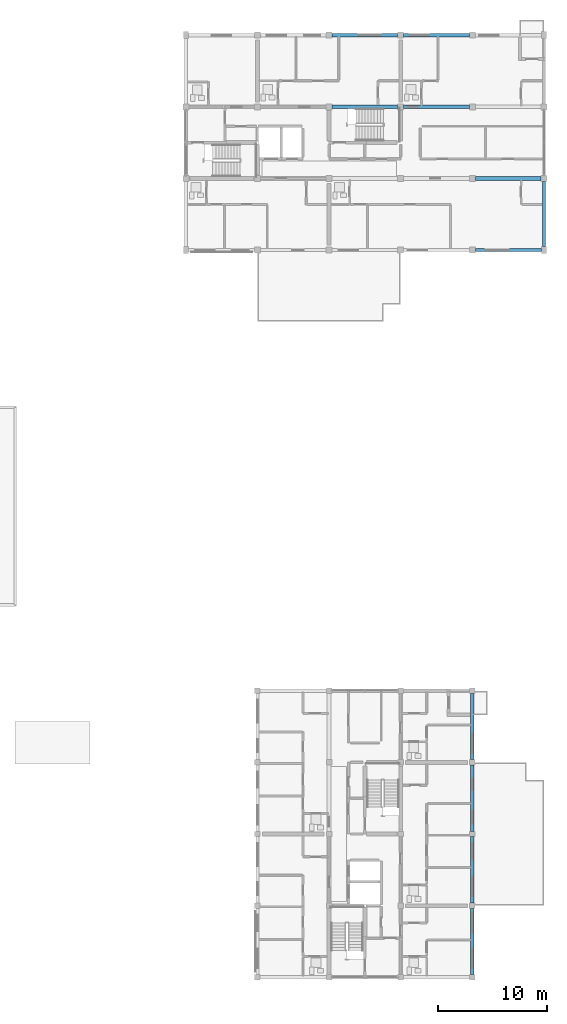
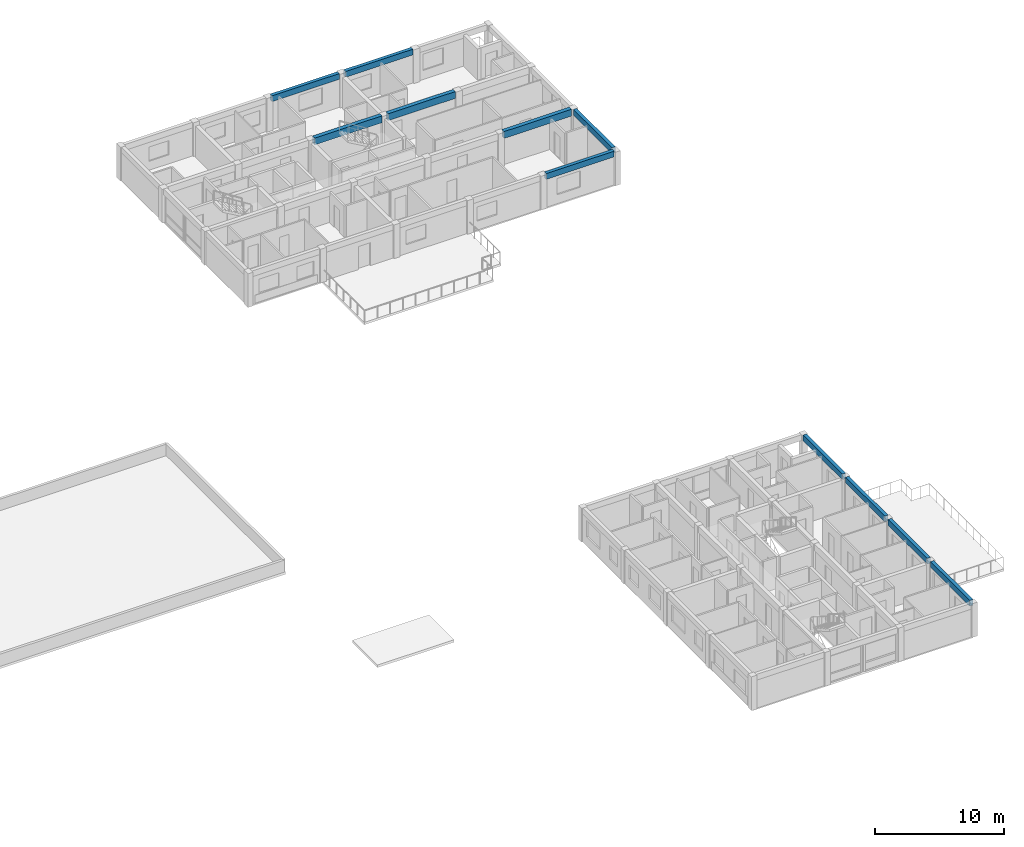
# One storey, part 21 of 51: 11 beams.
"""IFC4 building model written with IfcOpenShell, lengths in metres."""

from ifc_helpers import new_model, si_unit, direction, frame, origin, origin_2d, place, context, subcontext, project, spatial, rectangle, extrude, material, material_profile, profile_set, type_object, element, save


model = new_model("IFC4")

# Units and contexts
model_context = context("Model", 3, precision=1e-05, world=origin(), true_north=direction((0.0, 1.0)))
body_context = subcontext(model_context, "Body", "Model", "MODEL_VIEW")
ifc_project = project(units=[si_unit("LENGTHUNIT", "METRE"), si_unit("AREAUNIT", "SQUARE_METRE"), si_unit("VOLUMEUNIT", "CUBIC_METRE"), si_unit("PLANEANGLEUNIT", "RADIAN"), si_unit("MASSUNIT", "GRAM", prefix="KILO")], contexts=[model_context])

# Site, building, storey
site_placement = place(None, origin())
site = spatial("IfcSite", under=ifc_project, at=site_placement, CompositionType="ELEMENT")
building_placement = place(site_placement, origin())
building = spatial("IfcBuilding", under=site, at=building_placement, Name="Kernevlak Ridge Housing Community", CompositionType="ELEMENT")
storey_placement = place(building_placement, frame((0.0, 0.0, 8.39990234375)))
storey = spatial("IfcBuildingStorey", under=building, at=storey_placement, Name="L02", CompositionType="ELEMENT", Elevation=8.39990234375)

# Beams
ifc_material = material(Name="Concrete C35/45", Category="concrete")
ifc_material_profile_1 = material_profile(ifc_material, rectangle(XDim=0.35009765625, YDim=0.64990234375, at=origin_2d()), Name="RC 350x650")
ifc_profile_set_1 = profile_set([ifc_material_profile_1], Name="Concrete C35/45")
beam_type_1 = type_object("IfcBeamType", Name="B-02", PredefinedType="BEAM", material=ifc_profile_set_1)
for number, where, z_axis, x_axis, name in (
    (1, (146.074951171875, 89.199951171875, 2.875), (1.0, 0.0, 0.0), (0.0, 1.0, 0.0), "Beam B-02 L02 638"),
    (2, (132.875, 95.800048828125, 2.875), (1.0, 0.0, 0.0), (0.0, 1.0, 0.0), "Beam B-02 L02 641"),
):
    element("IfcBeam", number, at=place(storey_placement, frame(where, z_axis=z_axis, x_axis=x_axis)), inside=storey, type_object=beam_type_1, Name=name, PredefinedType="BEAM", context=body_context, shape_type="SweptSolid", body=[
        extrude(rectangle(XDim=0.35009765625, YDim=0.64990234375, at=origin_2d()), origin(), (0.0, 0.0, 1.0), 6.050048828125),
    ])
beam_1_placement = place(storey_placement, frame((139.47509765625, 95.800048828125, 2.875), z_axis=(1.0, 0.0, 0.0), x_axis=(0.0, 1.0, 0.0)))
element("IfcBeam", 3, at=beam_1_placement, inside=storey, type_object=beam_type_1, Name="Beam B-02 L02 642", PredefinedType="BEAM", context=body_context, shape_type="SweptSolid", body=[
    extrude(rectangle(XDim=0.35009765625, YDim=0.64990234375, at=origin_2d()), origin(), (0.0, 0.0, 1.0), 6.0498046875),
])
ifc_material_profile_2 = material_profile(ifc_material, rectangle(XDim=0.300048828125, YDim=0.550048828125, at=origin_2d()), Name="RC 300x550")
ifc_profile_set_2 = profile_set([ifc_material_profile_2], Name="Concrete C35/45")
beam_type_2 = type_object("IfcBeamType", Name="SP-01", PredefinedType="SPANDREL", material=ifc_profile_set_2)
beam_2_placement = place(storey_placement, frame((146.074951171875, 82.60009765625, 2.925048828125), z_axis=(1.0, 0.0, 0.0), x_axis=(0.0, 1.0, 0.0)))
element("IfcBeam", 4, at=beam_2_placement, inside=storey, type_object=beam_type_2, Name="Beam SP-01 L02 633", PredefinedType="SPANDREL", context=body_context, shape_type="SweptSolid", body=[
    extrude(rectangle(XDim=0.300048828125, YDim=0.550048828125, at=origin_2d()), origin(), (0.0, 0.0, 1.0), 6.10009765625),
])
beam_3_placement = place(storey_placement, frame((132.875, 102.39990234375, 2.925048828125), z_axis=(1.0, 0.0, 0.0), x_axis=(0.0, 1.0, 0.0)))
element("IfcBeam", 5, at=beam_3_placement, inside=storey, type_object=beam_type_2, Name="Beam SP-01 L02 646", PredefinedType="SPANDREL", context=body_context, shape_type="SweptSolid", body=[
    extrude(rectangle(XDim=0.300048828125, YDim=0.550048828125, at=origin_2d()), origin(), (0.0, 0.0, 1.0), 6.050048828125),
])
beam_4_placement = place(storey_placement, frame((139.47509765625, 102.39990234375, 2.925048828125), z_axis=(1.0, 0.0, 0.0), x_axis=(0.0, 1.0, 0.0)))
element("IfcBeam", 6, at=beam_4_placement, inside=storey, type_object=beam_type_2, Name="Beam SP-01 L02 647", PredefinedType="SPANDREL", context=body_context, shape_type="SweptSolid", body=[
    extrude(rectangle(XDim=0.300048828125, YDim=0.550048828125, at=origin_2d()), origin(), (0.0, 0.0, 1.0), 6.0498046875),
])
beam_5_placement = place(storey_placement, frame((152.39990234375, 82.925048828125, 2.925048828125), z_axis=(0.0, 1.0, 0.0), x_axis=(-1.0, 0.0, 0.0)))
element("IfcBeam", 7, at=beam_5_placement, inside=storey, type_object=beam_type_2, Name="Beam SP-01 L02 652", PredefinedType="SPANDREL", context=body_context, shape_type="SweptSolid", body=[
    extrude(rectangle(XDim=0.300048828125, YDim=0.550048828125, at=origin_2d()), origin(), (0.0, 0.0, 1.0), 6.0),
])
beam_6_placement = place(storey_placement, frame((145.800048828125, 15.85009765625, 2.925048828125), z_axis=(0.0, 1.0, 0.0), x_axis=(-1.0, 0.0, 0.0)))
element("IfcBeam", 8, at=beam_6_placement, inside=storey, type_object=beam_type_2, Name="Beam SP-01 L02 1058", PredefinedType="SPANDREL", context=body_context, shape_type="SweptSolid", body=[
    extrude(rectangle(XDim=0.300048828125, YDim=0.550048828125, at=origin_2d()), origin(), (0.0, 0.0, 1.0), 6.099853515625),
])
beam_7_placement = place(storey_placement, frame((145.800048828125, 22.449951171875, 2.925048828125), z_axis=(0.0, 1.0, 0.0), x_axis=(-1.0, 0.0, 0.0)))
element("IfcBeam", 9, at=beam_7_placement, inside=storey, type_object=beam_type_2, Name="Beam SP-01 L02 1059", PredefinedType="SPANDREL", context=body_context, shape_type="SweptSolid", body=[
    extrude(rectangle(XDim=0.300048828125, YDim=0.550048828125, at=origin_2d()), origin(), (0.0, 0.0, 1.0), 6.10009765625),
])
beam_8_placement = place(storey_placement, frame((145.800048828125, 29.050048828125, 2.925048828125), z_axis=(0.0, 1.0, 0.0), x_axis=(-1.0, 0.0, 0.0)))
element("IfcBeam", 10, at=beam_8_placement, inside=storey, type_object=beam_type_2, Name="Beam SP-01 L02 1060", PredefinedType="SPANDREL", context=body_context, shape_type="SweptSolid", body=[
    extrude(rectangle(XDim=0.300048828125, YDim=0.550048828125, at=origin_2d()), origin(), (0.0, 0.0, 1.0), 6.099853515625),
])
beam_9_placement = place(storey_placement, frame((145.800048828125, 35.64990234375, 2.925048828125), z_axis=(0.0, 1.0, 0.0), x_axis=(-1.0, 0.0, 0.0)))
element("IfcBeam", 11, at=beam_9_placement, inside=storey, type_object=beam_type_2, Name="Beam SP-01 L02 1061", PredefinedType="SPANDREL", context=body_context, shape_type="SweptSolid", body=[
    extrude(rectangle(XDim=0.300048828125, YDim=0.550048828125, at=origin_2d()), origin(), (0.0, 0.0, 1.0), 6.10009765625),
])

save(model, "model.ifc")
